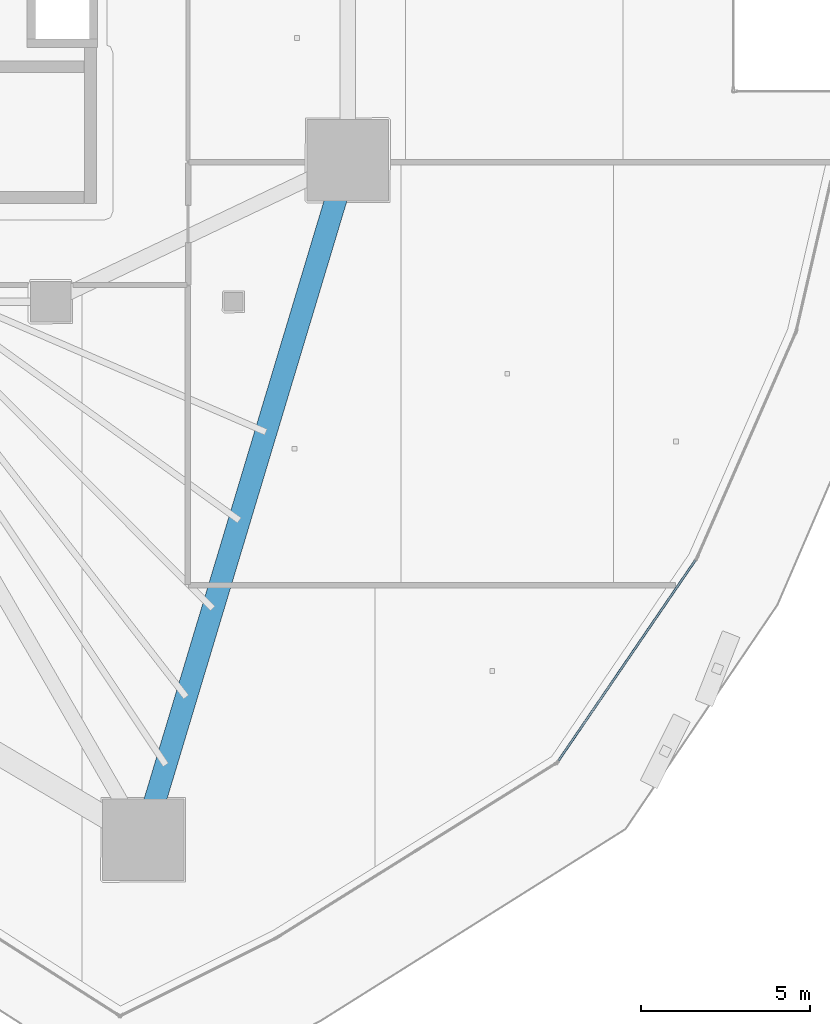
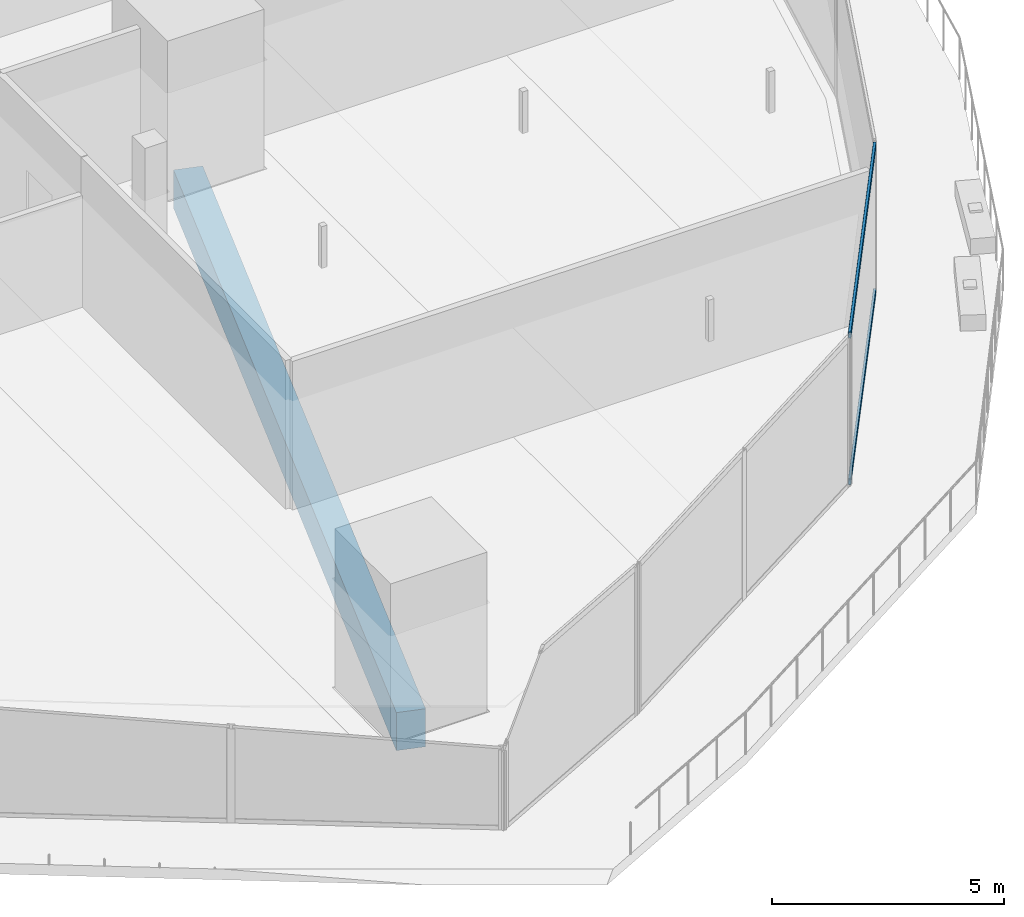
# One storey, part 11 of 45: 2 members, 1 beam, 1 element without a shape of its own.
"""IFC4 building model written with IfcOpenShell, lengths in metres."""

from ifc_helpers import new_model, si_unit, direction, frame, origin, origin_2d, place, context, subcontext, project, spatial, rectangle, hollow_rectangle, extrude, material, layer, layer_set, material_profile, profile_set, type_object, element, aggregate, save


model = new_model("IFC4")

# Units and contexts
model_context = context("Model", 3, precision=1e-05, world=origin(), true_north=direction((0.0, 1.0)))
body_context = subcontext(model_context, "Body", "Model", "MODEL_VIEW")
ifc_project = project(units=[si_unit("LENGTHUNIT", "METRE"), si_unit("AREAUNIT", "SQUARE_METRE"), si_unit("VOLUMEUNIT", "CUBIC_METRE"), si_unit("PLANEANGLEUNIT", "RADIAN"), si_unit("MASSUNIT", "GRAM", prefix="KILO")], contexts=[model_context])

# Site, building, storey
site_placement = place(None, origin())
site = spatial("IfcSite", under=ifc_project, at=site_placement, CompositionType="ELEMENT")
building_placement = place(site_placement, origin())
building = spatial("IfcBuilding", under=site, at=building_placement, Name="Qorvath Tower", CompositionType="ELEMENT")
storey_placement = place(building_placement, frame((0.0, 0.0, 66.0)))
storey = spatial("IfcBuildingStorey", under=building, at=storey_placement, Name="L14", CompositionType="ELEMENT", Elevation=66.0)

# Beam
ifc_material_1 = material(Name="Concrete C50/60", Category="concrete")
ifc_material_profile_1 = material_profile(ifc_material_1, rectangle(XDim=0.64990234375, YDim=1.0, at=origin_2d()), Name="RCB 1000x650")
ifc_profile_set_1 = profile_set([ifc_material_profile_1], Name="Concrete C50/60")
beam_type = type_object("IfcBeamType", Name="BM-RCB1", PredefinedType="SPANDREL", material=ifc_profile_set_1)
beam_placement = place(storey_placement, frame((-14.46435546875, -27.330810546875, -0.780029296875), z_axis=(0.288118908799, 0.957594639914, 0.0), x_axis=(-0.957594639914, 0.288118908799, 0.0)))
element("IfcBeam", 1, at=beam_placement, inside=storey, type_object=beam_type, Name="Perimeter Loggia Frame Beam MC3-MC4 L14", PredefinedType="SPANDREL", context=body_context, shape_type="SweptSolid", body=[
    extrude(rectangle(XDim=0.64990234375, YDim=1.0, at=origin_2d()), origin(), (0.0, 0.0, 1.0), 20.942626953125),
])

# Curtain wall, members
ifc_material_2 = material(Name="Anodised aluminium and triple low-E glass", Category="aluminium")
ifc_layer = layer(ifc_material_2, 0.179931640625)
ifc_layer_set = layer_set([ifc_layer], Name="CW-SYS-2")
curtain_wall_type = type_object("IfcCurtainWallType", Name="CW-SYS-2", PredefinedType="NOTDEFINED", material=ifc_layer_set)
curtain_wall_placement = place(storey_placement, origin())
curtain_wall = element("IfcCurtainWall", 2, at=curtain_wall_placement, inside=storey, type_object=curtain_wall_type, Name="Curtain Wall CW-2 CW-T-L14-5.1", PredefinedType="NOTDEFINED")
ifc_material_3 = material(Name="Anodised aluminium 6063-T6", Category="aluminium")
ifc_material_profile_2 = material_profile(ifc_material_3, hollow_rectangle(XDim=0.06494140625, YDim=0.159912109375, WallThickness=0.00341796875, InnerFilletRadius=0.00341796875, OuterFilletRadius=0.007080078125, at=origin_2d()), Name="CWT 160x65")
ifc_profile_set_2 = profile_set([ifc_material_profile_2], Name="Anodised aluminium 6063-T6")
member_type = type_object("IfcMemberType", Name="CWT-160", PredefinedType="USERDEFINED", material=ifc_profile_set_2)
member_1_placement = place(storey_placement, frame((-2.20654296875, -24.996826171875, 0.032470703125), z_axis=(0.563979207368, 0.825788988578, 0.0), x_axis=(-0.825788988578, 0.563979207368, 0.0)))
member_1 = element("IfcMember", 3, at=member_1_placement, type_object=member_type, Name="CW-2 transom 1.1", ObjectType="TRANSOM", PredefinedType="USERDEFINED", context=body_context, shape_type="SweptSolid", body=[
    extrude(hollow_rectangle(XDim=0.06494140625, YDim=0.159912109375, WallThickness=0.00341796875, InnerFilletRadius=0.00341796875, OuterFilletRadius=0.007080078125, at=origin_2d()), origin(), (0.0, 0.0, 1.0), 7.168212890625),
])
member_2_placement = place(storey_placement, frame((-2.20654296875, -24.996826171875, 3.887451171875), z_axis=(0.563979207368, 0.825788988578, 0.0), x_axis=(-0.825788988578, 0.563979207368, 0.0)))
member_2 = element("IfcMember", 4, at=member_2_placement, type_object=member_type, Name="CW-2 transom 1.2", ObjectType="TRANSOM", PredefinedType="USERDEFINED", context=body_context, shape_type="SweptSolid", body=[
    extrude(hollow_rectangle(XDim=0.06494140625, YDim=0.159912109375, WallThickness=0.00341796875, InnerFilletRadius=0.00341796875, OuterFilletRadius=0.007080078125, at=origin_2d()), origin(), (0.0, 0.0, 1.0), 7.168212890625),
])
aggregate(curtain_wall, [member_1, member_2])

save(model, "model.ifc")
